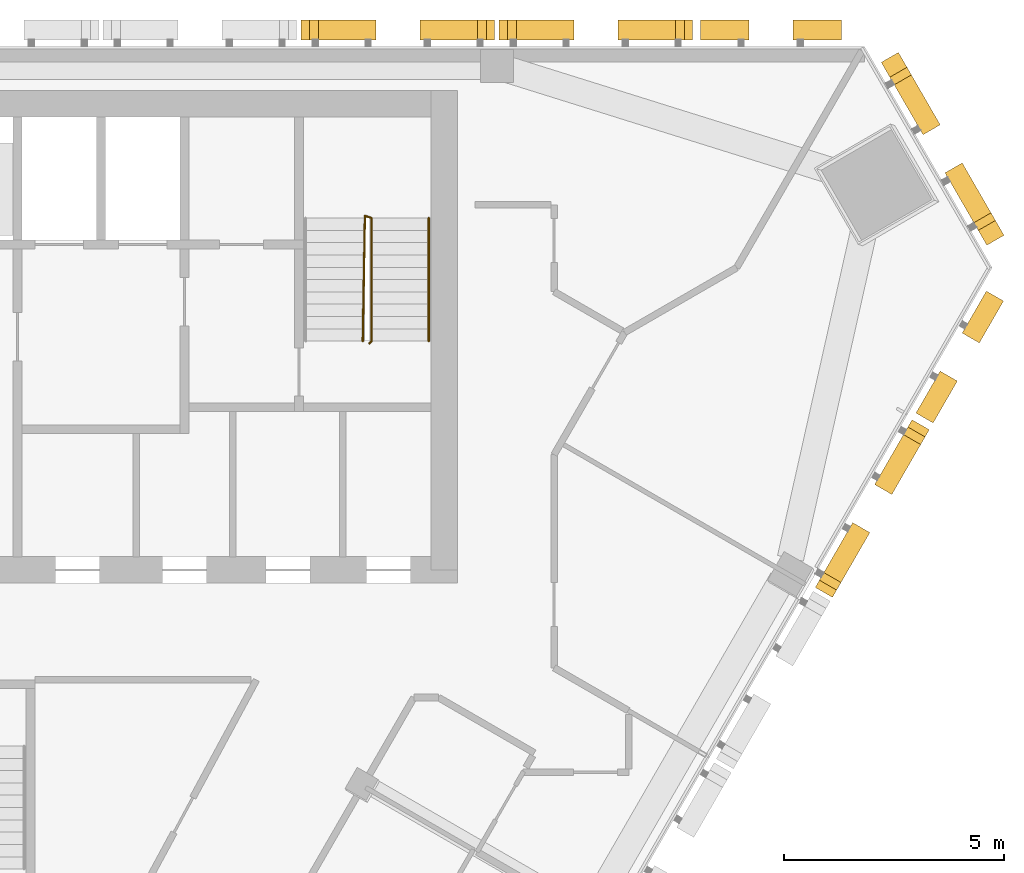
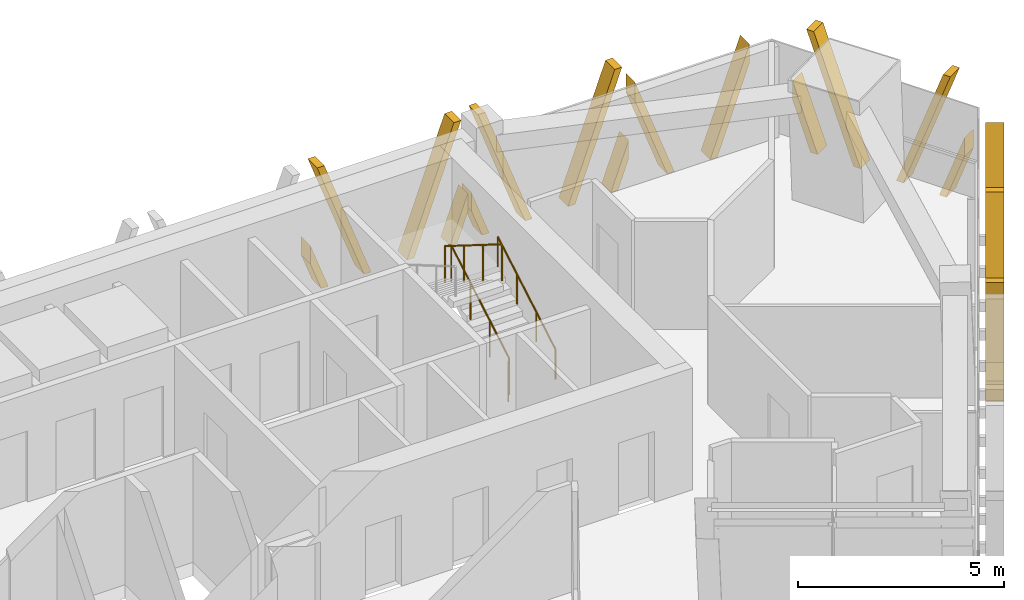
# One storey, part 13 of 14: 6 shading devices, 2 railings.
"""IFC4 building model written with IfcOpenShell, lengths in metres."""

from ifc_helpers import new_model, si_unit, direction, frame, origin, origin_2d, place, context, subcontext, project, spatial, polyline, circle, outline, extrude, source, transform, mapped, material, type_object, element, save


model = new_model("IFC4")

# Units and contexts
model_context = context("Model", 3, precision=1e-05, world=origin(), true_north=direction((0.0, 1.0)))
body_context = subcontext(model_context, "Body", "Model", "MODEL_VIEW")
ifc_project = project(units=[si_unit("LENGTHUNIT", "METRE"), si_unit("AREAUNIT", "SQUARE_METRE"), si_unit("VOLUMEUNIT", "CUBIC_METRE"), si_unit("PLANEANGLEUNIT", "RADIAN"), si_unit("MASSUNIT", "GRAM", prefix="KILO")], contexts=[model_context])

# Site, building, storey
site_placement = place(None, origin())
site = spatial("IfcSite", under=ifc_project, at=site_placement, CompositionType="ELEMENT")
building_placement = place(site_placement, origin())
building = spatial("IfcBuilding", under=site, at=building_placement, Name="Altiplano Prism Tower", CompositionType="ELEMENT")
storey_placement = place(building_placement, frame((0.0, 0.0, 223.0)))
storey = spatial("IfcBuildingStorey", under=building, at=storey_placement, Name="L57", CompositionType="ELEMENT", Elevation=223.0)

# Railings
ifc_material_1 = material(Name="Steel S355", Category="steel")
railing_type_1 = type_object("IfcRailingType", Name="Stair guard 1100", PredefinedType="GUARDRAIL", material=ifc_material_1)
railing_1_placement = place(storey_placement, frame((95.60009765625, 98.25, 0.0)))
element("IfcRailing", 1, at=railing_1_placement, inside=storey, type_object=railing_type_1, Name="L57 ST2 stair guard 1", PredefinedType="GUARDRAIL", context=body_context, shape_type="SweptSolid", body=[
    extrude(circle(Radius=0.02392578125, at=origin_2d()), frame((0.0, 0.0, 1.076171875), z_axis=(0.279546231943, 0.280916556609, 0.91811752648), x_axis=(-0.708833529934, 0.705375805398, 0.0)), (0.0, 0.0, 1.0), 0.17822265625),
    extrude(circle(Radius=0.02392578125, at=origin_2d()), frame((0.0498046875, 0.050048828125, 1.23974609375), z_axis=(0.0, 0.863360870873, 0.504586966384), x_axis=(-1.0, 0.0, 0.0)), (0.0, 0.0, 1.0), 3.2431640625),
    extrude(circle(Radius=0.02392578125, at=origin_2d()), frame((0.0498046875, 2.85009765625, 2.8759765625), z_axis=(-0.948991962702, 0.315300261223, 0.0), x_axis=(-0.315300261223, -0.948991962702, 0.0)), (0.0, 0.0, 1.0), 0.157958984375),
    extrude(circle(Radius=0.02392578125, at=origin_2d()), frame((-0.10009765625, 2.89990234375, 2.8759765625), z_axis=(-0.014846418356, -0.845376787675, 0.533964109957), x_axis=(0.999845825584, -0.017559187376, 0.0)), (0.0, 0.0, 1.0), 3.37109375),
    extrude(circle(Radius=0.02099609375, at=origin_2d()), origin(), (0.0, 0.0, 1.0), 1.052001953125),
    extrude(circle(Radius=0.02099609375, at=origin_2d()), frame((0.0498046875, 0.050048828125, 0.16357421875)), (0.0, 0.0, 1.0), 1.052001953125),
    extrude(circle(Radius=0.02099609375, at=origin_2d()), frame((0.0498046875, 0.9833984375, 0.708984375)), (0.0, 0.0, 1.0), 1.052001953125),
    extrude(circle(Radius=0.02099609375, at=origin_2d()), frame((0.0498046875, 1.916748046875, 1.254638671875)), (0.0, 0.0, 1.0), 1.052001953125),
    extrude(circle(Radius=0.02099609375, at=origin_2d()), frame((0.0498046875, 2.85009765625, 1.800048828125)), (0.0, 0.0, 1.0), 1.052001953125),
    extrude(circle(Radius=0.02099609375, at=origin_2d()), frame((-0.10009765625, 2.89990234375, 1.800048828125)), (0.0, 0.0, 1.0), 1.052001953125),
    extrude(circle(Radius=0.02099609375, at=origin_2d()), frame((-0.11669921875, 1.949951171875, 2.400146484375)), (0.0, 0.0, 1.0), 1.052001953125),
    extrude(circle(Radius=0.02099609375, at=origin_2d()), frame((-0.133544921875, 1.0, 3.0)), (0.0, 0.0, 1.0), 1.052001953125),
    extrude(circle(Radius=0.02099609375, at=origin_2d()), frame((-0.150146484375, 0.050048828125, 3.60009765625)), (0.0, 0.0, 1.0), 1.052001953125),
])
railing_type_2 = type_object("IfcRailingType", Name="Stair handrail 900", PredefinedType="HANDRAIL", material=ifc_material_1)
railing_2_placement = place(storey_placement, frame((96.949951171875, 98.300048828125, 0.16357421875)))
element("IfcRailing", 2, at=railing_2_placement, inside=storey, type_object=railing_type_2, Name="L57 ST2 stair handrail 1", PredefinedType="HANDRAIL", context=body_context, shape_type="SweptSolid", body=[
    extrude(circle(Radius=0.02392578125, at=origin_2d()), frame((0.0, 0.0, 0.8759765625), z_axis=(0.0, 0.863360870873, 0.504586966384), x_axis=(-1.0, 0.0, 0.0)), (0.0, 0.0, 1.0), 3.2431640625),
    extrude(circle(Radius=0.02099609375, at=origin_2d()), origin(), (0.0, 0.0, 1.0), 0.851806640625),
    extrude(circle(Radius=0.02099609375, at=origin_2d()), frame((0.0, 0.933349609375, 0.54541015625)), (0.0, 0.0, 1.0), 0.851806640625),
    extrude(circle(Radius=0.02099609375, at=origin_2d()), frame((0.0, 1.86669921875, 1.091064453125)), (0.0, 0.0, 1.0), 0.851806640625),
    extrude(circle(Radius=0.02099609375, at=origin_2d()), frame((0.0, 2.800048828125, 1.636474609375)), (0.0, 0.0, 1.0), 0.851806640625),
])

# Shading devices
ifc_material_2 = material(Name="Warm limestone cast stone", Category="masonry")
shading_device_type_1 = type_object("IfcShadingDeviceType", Name="Stone fin panel, narrow closing bay", PredefinedType="USERDEFINED", material=ifc_material_2)
shared_shape_1 = source(origin(), body_context, "Body", "SweptSolid", [
    extrude(outline(polyline([(-1.60009765625, 3.022216796875), (-1.60009765625, 2.47265625), (-0.699951171875, 0.0), (-0.5, 0.0), (-1.60009765625, 3.022216796875)])), frame((0.0, -0.14990234375, 0.0), z_axis=(0.0, -1.0, 0.0), x_axis=(1.0, 0.0, 0.0)), (0.0, 0.0, 1.0), 0.4501953125),
    extrude(outline(polyline([(1.60009765625, 2.47265625), (1.60009765625, 3.022216796875), (0.5, 0.0), (0.699951171875, 0.0), (1.60009765625, 2.47265625)])), frame((0.0, -0.14990234375, 0.0), z_axis=(0.0, -1.0, 0.0), x_axis=(1.0, 0.0, 0.0)), (0.0, 0.0, 1.0), 0.4501953125),
])
shading_device_1_placement = place(storey_placement, origin())
element("IfcShadingDevice", 3, at=shading_device_1_placement, inside=storey, type_object=shading_device_type_1, Name="Fin L57 north face 1", ObjectType="FIN", PredefinedType="USERDEFINED", context=body_context, shape_type="MappedRepresentation", body=[
    mapped(shared_shape_1, transform((104.726806640625, 105.0, -0.39990234375), x_axis=(-1.0, 0.0, 0.0), y_axis=(0.0, -1.0, 0.0), z_axis=(0.0, 0.0, 1.0))),
])
shading_device_2_placement = place(storey_placement, origin())
element("IfcShadingDevice", 4, at=shading_device_2_placement, inside=storey, type_object=shading_device_type_1, Name="Fin L57 south-east face 10", ObjectType="FIN", PredefinedType="USERDEFINED", context=body_context, shape_type="MappedRepresentation", body=[
    mapped(shared_shape_1, transform((108.695068359375, 98.126953125, -0.39990234375), x_axis=(0.499999991742, 0.866025408552, 0.0), y_axis=(-0.866025408552, 0.499999991742, 0.0), z_axis=(0.0, 0.0, 1.0))),
])
shading_device_type_2 = type_object("IfcShadingDeviceType", Name="Stone fin panel, standard unit", PredefinedType="USERDEFINED", material=ifc_material_2)
shared_shape_2 = source(origin(), body_context, "Body", "SweptSolid", [
    extrude(outline(polyline([(-2.199951171875, 1.373779296875), (-2.199951171875, 0.82421875), (-1.89990234375, 0.0), (-1.699951171875, 0.0), (-2.199951171875, 1.373779296875)])), frame((0.0, -0.14990234375, 0.0), z_axis=(0.0, -1.0, 0.0), x_axis=(1.0, 0.0, 0.0)), (0.0, 0.0, 1.0), 0.4501953125),
    extrude(outline(polyline([(-2.01025390625, 3.60009765625), (-0.699951171875, 0.0), (-0.5, 0.0), (-1.810302734375, 3.60009765625), (-2.01025390625, 3.60009765625)])), frame((0.0, -0.14990234375, 0.0), z_axis=(0.0, -1.0, 0.0), x_axis=(1.0, 0.0, 0.0)), (0.0, 0.0, 1.0), 0.4501953125),
    extrude(outline(polyline([(1.810302734375, 3.60009765625), (0.5, 0.0), (0.699951171875, 0.0), (2.01025390625, 3.60009765625), (1.810302734375, 3.60009765625)])), frame((0.0, -0.14990234375, 0.0), z_axis=(0.0, -1.0, 0.0), x_axis=(1.0, 0.0, 0.0)), (0.0, 0.0, 1.0), 0.4501953125),
    extrude(outline(polyline([(2.199951171875, 0.82421875), (2.199951171875, 1.373779296875), (1.699951171875, 0.0), (1.89990234375, 0.0), (2.199951171875, 0.82421875)])), frame((0.0, -0.14990234375, 0.0), z_axis=(0.0, -1.0, 0.0), x_axis=(1.0, 0.0, 0.0)), (0.0, 0.0, 1.0), 0.4501953125),
])
shading_device_3_placement = place(storey_placement, origin())
element("IfcShadingDevice", 5, at=shading_device_3_placement, inside=storey, type_object=shading_device_type_2, Name="Fin L57 north face 2", ObjectType="FIN", PredefinedType="USERDEFINED", context=body_context, shape_type="MappedRepresentation", body=[
    mapped(shared_shape_2, transform((100.75, 105.0, -0.39990234375), x_axis=(-1.0, 0.0, 0.0), y_axis=(0.0, -1.0, 0.0), z_axis=(0.0, 0.0, 1.0))),
])
shading_device_4_placement = place(storey_placement, origin())
element("IfcShadingDevice", 6, at=shading_device_4_placement, inside=storey, type_object=shading_device_type_2, Name="Fin L57 north face 3", ObjectType="FIN", PredefinedType="USERDEFINED", context=body_context, shape_type="MappedRepresentation", body=[
    mapped(shared_shape_2, transform((96.25, 105.0, -0.39990234375), x_axis=(-1.0, 0.0, 0.0), y_axis=(0.0, -1.0, 0.0), z_axis=(0.0, 0.0, 1.0))),
])
shading_device_5_placement = place(storey_placement, origin())
element("IfcShadingDevice", 7, at=shading_device_5_placement, inside=storey, type_object=shading_device_type_2, Name="Fin L57 south-east face 9", ObjectType="FIN", PredefinedType="USERDEFINED", context=body_context, shape_type="MappedRepresentation", body=[
    mapped(shared_shape_2, transform((106.70654296875, 94.682861328125, -0.39990234375), x_axis=(0.499999991742, 0.866025408552, 0.0), y_axis=(-0.866025408552, 0.499999991742, 0.0), z_axis=(0.0, 0.0, 1.0))),
])
shading_device_type_3 = type_object("IfcShadingDeviceType", Name="Stone fin panel, chamfer unit", PredefinedType="USERDEFINED", material=ifc_material_2)
shared_shape_3 = source(origin(), body_context, "Body", "SweptSolid", [
    extrude(outline(polyline([(-2.39990234375, 1.923095703125), (-2.39990234375, 1.373779296875), (-1.89990234375, 0.0), (-1.699951171875, 0.0), (-2.39990234375, 1.923095703125)])), frame((0.0, -0.14990234375, 0.0), z_axis=(0.0, -1.0, 0.0), x_axis=(1.0, 0.0, 0.0)), (0.0, 0.0, 1.0), 0.4501953125),
    extrude(outline(polyline([(-2.01025390625, 3.60009765625), (-0.699951171875, 0.0), (-0.5, 0.0), (-1.810302734375, 3.60009765625), (-2.01025390625, 3.60009765625)])), frame((0.0, -0.14990234375, 0.0), z_axis=(0.0, -1.0, 0.0), x_axis=(1.0, 0.0, 0.0)), (0.0, 0.0, 1.0), 0.4501953125),
    extrude(outline(polyline([(1.810302734375, 3.60009765625), (0.5, 0.0), (0.699951171875, 0.0), (2.01025390625, 3.60009765625), (1.810302734375, 3.60009765625)])), frame((0.0, -0.14990234375, 0.0), z_axis=(0.0, -1.0, 0.0), x_axis=(1.0, 0.0, 0.0)), (0.0, 0.0, 1.0), 0.4501953125),
    extrude(outline(polyline([(2.39990234375, 1.373779296875), (2.39990234375, 1.923095703125), (1.699951171875, 0.0), (1.89990234375, 0.0), (2.39990234375, 1.373779296875)])), frame((0.0, -0.14990234375, 0.0), z_axis=(0.0, -1.0, 0.0), x_axis=(1.0, 0.0, 0.0)), (0.0, 0.0, 1.0), 0.4501953125),
])
shading_device_6_placement = place(storey_placement, origin())
element("IfcShadingDevice", 8, at=shading_device_6_placement, inside=storey, type_object=shading_device_type_3, Name="Fin L57 north-east chamfer 1", ObjectType="FIN", PredefinedType="USERDEFINED", context=body_context, shape_type="MappedRepresentation", body=[
    mapped(shared_shape_3, transform((108.305908203125, 102.484375, -0.39990234375), x_axis=(-0.500000067794, 0.866025364643, 0.0), y_axis=(-0.866025364643, -0.500000067794, 0.0), z_axis=(0.0, 0.0, 1.0))),
])

save(model, "model.ifc")
